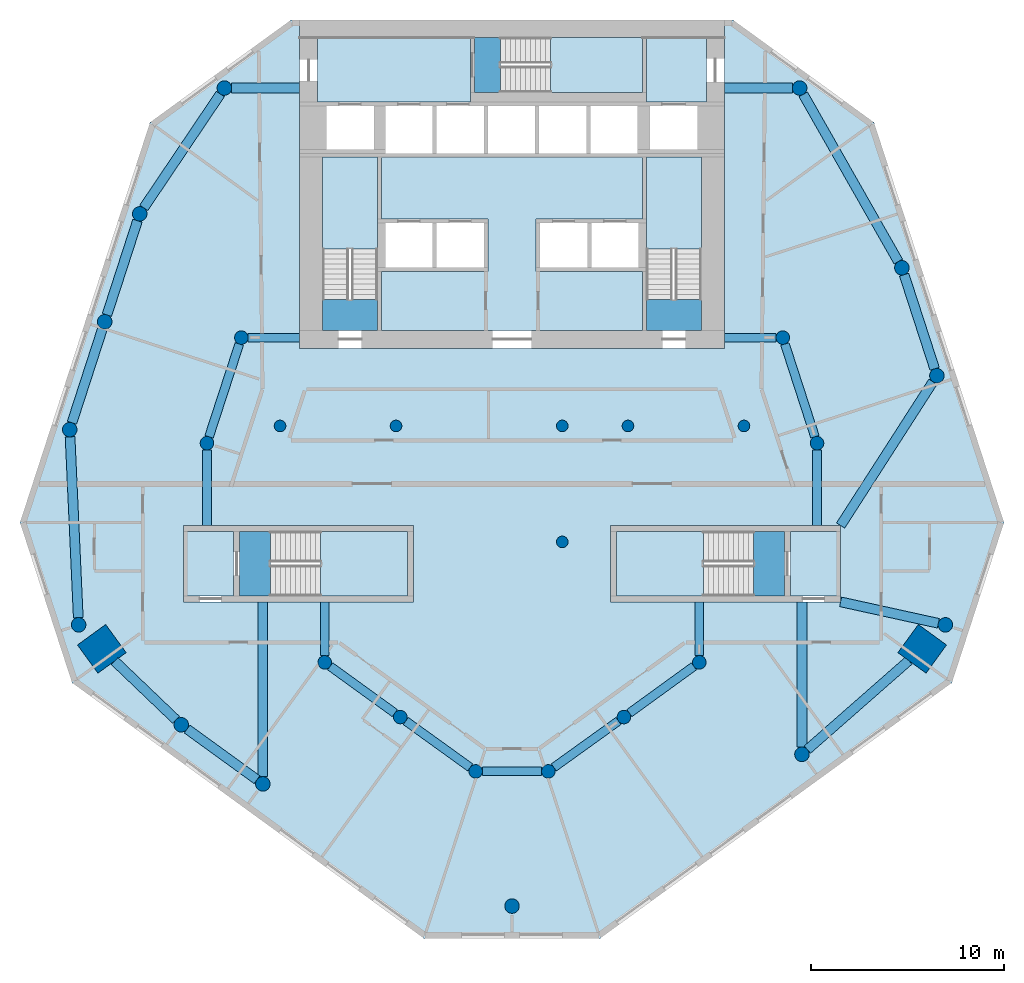
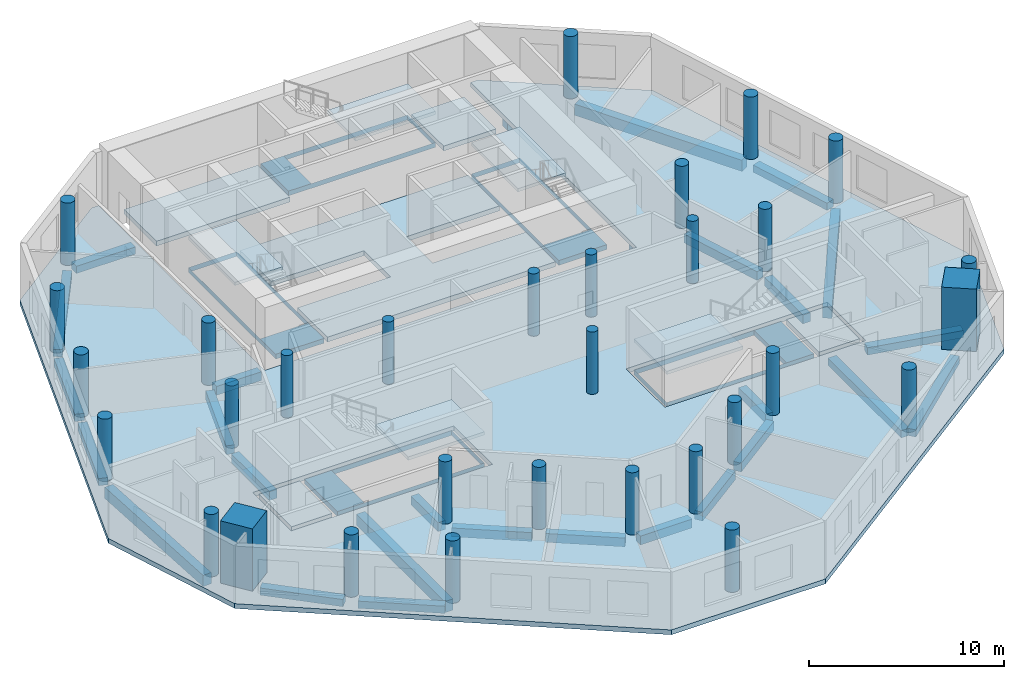
# One storey, part 1 of 8: 31 columns, 28 beams, 16 slabs, 5 elements without a shape of their own.
"""IFC4 building model written with IfcOpenShell, lengths in metres."""

from ifc_helpers import new_model, si_unit, direction, frame, origin, origin_2d, place, context, subcontext, project, spatial, polyline, rectangle, circle, outline, extrude, material, layer, layer_set, material_profile, profile_set, type_object, element, aggregate, save


model = new_model("IFC4")

# Units and contexts
model_context = context("Model", 3, precision=1e-05, world=origin(), true_north=direction((0.0, 1.0)))
body_context = subcontext(model_context, "Body", "Model", "MODEL_VIEW")
ifc_project = project(units=[si_unit("LENGTHUNIT", "METRE"), si_unit("AREAUNIT", "SQUARE_METRE"), si_unit("VOLUMEUNIT", "CUBIC_METRE"), si_unit("PLANEANGLEUNIT", "RADIAN"), si_unit("MASSUNIT", "GRAM", prefix="KILO")], contexts=[model_context])

# Site, building, storey
site_placement = place(None, origin())
site = spatial("IfcSite", under=ifc_project, at=site_placement, CompositionType="ELEMENT")
building_placement = place(site_placement, origin())
building = spatial("IfcBuilding", under=site, at=building_placement, Name="White Candle Pilgrim Tower", CompositionType="ELEMENT")
storey_placement = place(building_placement, frame((0.0, 0.0, 152.5)))
storey = spatial("IfcBuildingStorey", under=building, at=storey_placement, Name="L34", CompositionType="ELEMENT", Elevation=152.5)

# Columns
ifc_material_1 = material(Name="Concrete C70/85", Category="concrete")
ifc_material_profile_1 = material_profile(ifc_material_1, circle(Radius=0.300048828125, at=origin_2d()), Name="RC-COL D600")
ifc_profile_set_1 = profile_set([ifc_material_profile_1], Name="Concrete C70/85")
column_type_1 = type_object("IfcColumnType", Name="Interior column RC-COL D600 C70/85", PredefinedType="COLUMN", material=ifc_profile_set_1)
for number, where, z_axis, x_axis, name in (
    (1, (58.0, 67.0, 0.0), (0.0, 0.0, 1.0), (1.0, 0.0, 0.0), "L34 column I01"),
    (2, (64.0, 67.0, 0.0), (0.0, 0.0, 1.0), (1.0, 0.0, 0.0), "L34 column I02"),
    (3, (72.60009765625, 61.0, 0.0), (0.0, 0.0, 1.0), (1.0, 0.0, 0.0), "L34 column I03"),
    (4, (72.60009765625, 67.0, 0.0), (0.0, 0.0, 1.0), (1.0, 0.0, 0.0), "L34 column I04"),
    (5, (76.0, 67.0, 0.0), (0.0, 0.0, 1.0), (1.0, 0.0, 0.0), "L34 column I05"),
    (6, (82.0, 67.0, 0.0), (0.0, 0.0, 1.0), (1.0, 0.0, 0.0), "L34 column I06"),
):
    element("IfcColumn", number, at=place(storey_placement, frame(where, z_axis=z_axis, x_axis=x_axis)), inside=storey, type_object=column_type_1, Name=name, PredefinedType="COLUMN", context=body_context, shape_type="SweptSolid", body=[
        extrude(circle(Radius=0.300048828125, at=origin_2d()), origin(), (0.0, 0.0, 1.0), 3.89990234375),
    ])
ifc_material_profile_2 = material_profile(ifc_material_1, rectangle(XDim=1.800048828125, YDim=1.800048828125, at=origin_2d()), Name="RC 1800x1800")
ifc_profile_set_2 = profile_set([ifc_material_profile_2], Name="Concrete C70/85")
column_type_2 = type_object("IfcColumnType", Name="Mega column RC 1800x1800 C70/85", PredefinedType="COLUMN", material=ifc_profile_set_2)
for number, where, z_axis, x_axis, name in (
    (7, (48.780029296875, 55.469970703125, 0.0), (0.0, 0.0, 1.0), (-0.809016994375, -0.587785252292, 0.0), "L34 mega column T02"),
    (8, (91.219970703125, 55.469970703125, 0.0), (0.0, 0.0, 1.0), (0.809016994375, -0.587785252292, 0.0), "L34 mega column T07"),
):
    element("IfcColumn", number, at=place(storey_placement, frame(where, z_axis=z_axis, x_axis=x_axis)), inside=storey, type_object=column_type_2, Name=name, PredefinedType="COLUMN", context=body_context, shape_type="SweptSolid", body=[
        extrude(rectangle(XDim=1.800048828125, YDim=1.800048828125, at=origin_2d()), origin(), (0.0, 0.0, 1.0), 3.89990234375),
    ])
ifc_material_profile_3 = material_profile(ifc_material_1, circle(Radius=0.375, at=origin_2d()), Name="RC-COL D750")
ifc_profile_set_3 = profile_set([ifc_material_profile_3], Name="Concrete C70/85")
column_type_3 = type_object("IfcColumnType", Name="Perimeter column RC-COL D750 C70/85", PredefinedType="COLUMN", material=ifc_profile_set_3)
for number, where, z_axis, x_axis, name in (
    (9, (47.580078125, 56.7099609375, 0.0), (0.0, 0.0, 1.0), (1.0, 0.0, 0.0), "L34 column T01"),
    (10, (52.889892578125, 51.5400390625, 0.0), (0.0, 0.0, 1.0), (1.0, 0.0, 0.0), "L34 column T03"),
    (11, (57.110107421875, 48.47998046875, 0.0), (0.0, 0.0, 1.0), (1.0, 0.0, 0.0), "L34 column T04"),
    (12, (70.0, 42.159912109375, 0.0), (0.0, 0.0, 1.0), (1.0, 0.0, 0.0), "L34 column T05"),
    (13, (85.0, 50.010009765625, 0.0), (0.0, 0.0, 1.0), (1.0, 0.0, 0.0), "L34 column T06"),
    (14, (92.419921875, 56.7099609375, 0.0), (0.0, 0.0, 1.0), (1.0, 0.0, 0.0), "L34 column T08"),
    (15, (91.97998046875, 69.60009765625, 0.0), (0.0, 0.0, 1.0), (1.0, 0.0, 0.0), "L34 column T09"),
    (16, (90.169921875, 75.179931640625, 0.0), (0.0, 0.0, 1.0), (1.0, 0.0, 0.0), "L34 column T10"),
    (17, (84.8798828125, 84.47998046875, 0.0), (0.0, 0.0, 1.0), (1.0, 0.0, 0.0), "L34 column T11"),
    (18, (55.1201171875, 84.47998046875, 0.0), (0.0, 0.0, 1.0), (1.0, 0.0, 0.0), "L34 column T12"),
    (19, (50.739990234375, 77.969970703125, 0.0), (0.0, 0.0, 1.0), (1.0, 0.0, 0.0), "L34 column T13"),
    (20, (48.929931640625, 72.389892578125, 0.0), (0.0, 0.0, 1.0), (1.0, 0.0, 0.0), "L34 column T14"),
    (21, (47.1201171875, 66.81005859375, 0.0), (0.0, 0.0, 1.0), (1.0, 0.0, 0.0), "L34 column T15"),
):
    element("IfcColumn", number, at=place(storey_placement, frame(where, z_axis=z_axis, x_axis=x_axis)), inside=storey, type_object=column_type_3, Name=name, PredefinedType="COLUMN", context=body_context, shape_type="SweptSolid", body=[
        extrude(circle(Radius=0.375, at=origin_2d()), origin(), (0.0, 0.0, 1.0), 3.89990234375),
    ])
ifc_material_profile_4 = material_profile(ifc_material_1, circle(Radius=0.35009765625, at=origin_2d()), Name="RC-COL D700")
ifc_profile_set_4 = profile_set([ifc_material_profile_4], Name="Concrete C70/85")
column_type_4 = type_object("IfcColumnType", Name="Ring column RC-COL D700 C70/85", PredefinedType="COLUMN", material=ifc_profile_set_4)
for number, where, z_axis, x_axis, name in (
    (22, (60.31005859375, 54.77001953125, 0.0), (0.0, 0.0, 1.0), (1.0, 0.0, 0.0), "L34 column R01"),
    (23, (64.219970703125, 51.93994140625, 0.0), (0.0, 0.0, 1.0), (1.0, 0.0, 0.0), "L34 column R02"),
    (24, (68.1201171875, 49.1298828125, 0.0), (0.0, 0.0, 1.0), (1.0, 0.0, 0.0), "L34 column R03"),
    (25, (71.8798828125, 49.1298828125, 0.0), (0.0, 0.0, 1.0), (1.0, 0.0, 0.0), "L34 column R04"),
    (26, (75.7900390625, 51.93994140625, 0.0), (0.0, 0.0, 1.0), (1.0, 0.0, 0.0), "L34 column R05"),
    (27, (79.68994140625, 54.77001953125, 0.0), (0.0, 0.0, 1.0), (1.0, 0.0, 0.0), "L34 column R06"),
    (28, (85.780029296875, 66.110107421875, 0.0), (0.0, 0.0, 1.0), (1.0, 0.0, 0.0), "L34 column R07"),
    (29, (84.010009765625, 71.570068359375, 0.0), (0.0, 0.0, 1.0), (1.0, 0.0, 0.0), "L34 column R08"),
    (30, (56.0, 71.570068359375, 0.0), (0.0, 0.0, 1.0), (1.0, 0.0, 0.0), "L34 column R09"),
    (31, (54.219970703125, 66.110107421875, 0.0), (0.0, 0.0, 1.0), (1.0, 0.0, 0.0), "L34 column R10"),
):
    element("IfcColumn", number, at=place(storey_placement, frame(where, z_axis=z_axis, x_axis=x_axis)), inside=storey, type_object=column_type_4, Name=name, PredefinedType="COLUMN", context=body_context, shape_type="SweptSolid", body=[
        extrude(circle(Radius=0.35009765625, at=origin_2d()), origin(), (0.0, 0.0, 1.0), 3.89990234375),
    ])

# Beams
ifc_material_2 = material(Name="Concrete C50/60", Category="concrete")
ifc_material_profile_5 = material_profile(ifc_material_2, rectangle(XDim=0.449951171875, YDim=0.550048828125, at=origin_2d()), Name="RC-BM 450x550")
ifc_profile_set_5 = profile_set([ifc_material_profile_5], Name="Concrete C50/60")
beam_type_1 = type_object("IfcBeamType", Name="Ring beam RC-BM 450x550 C50/60", PredefinedType="BEAM", material=ifc_profile_set_5)
beam_1_placement = place(storey_placement, frame((60.593505859375, 54.56494140625, -0.574951171875), z_axis=(0.810043858436, -0.586369292691, 0.0), x_axis=(0.586369292691, 0.810043858436, 0.0)))
element("IfcBeam", 32, at=beam_1_placement, inside=storey, type_object=beam_type_1, Name="L34 ring beam R01", PredefinedType="BEAM", context=body_context, shape_type="SweptSolid", body=[
    extrude(rectangle(XDim=0.449951171875, YDim=0.550048828125, at=origin_2d()), origin(), (0.0, 0.0, 1.0), 4.126953125),
])
beam_2_placement = place(storey_placement, frame((64.50390625, 51.735595703125, -0.574951171875), z_axis=(0.811316688041, -0.584606903574, 0.0), x_axis=(0.584606903574, 0.811316688041, 0.0)))
element("IfcBeam", 33, at=beam_2_placement, inside=storey, type_object=beam_type_1, Name="L34 ring beam R02", PredefinedType="BEAM", context=body_context, shape_type="SweptSolid", body=[
    extrude(rectangle(XDim=0.449951171875, YDim=0.550048828125, at=origin_2d()), origin(), (0.0, 0.0, 1.0), 4.107177734375),
])
beam_3_placement = place(storey_placement, frame((68.469970703125, 49.1298828125, -0.574951171875), z_axis=(1.0, 0.0, 0.0), x_axis=(0.0, 1.0, 0.0)))
element("IfcBeam", 34, at=beam_3_placement, inside=storey, type_object=beam_type_1, Name="L34 ring beam R03", PredefinedType="BEAM", context=body_context, shape_type="SweptSolid", body=[
    extrude(rectangle(XDim=0.449951171875, YDim=0.550048828125, at=origin_2d()), origin(), (0.0, 0.0, 1.0), 3.06005859375),
])
beam_4_placement = place(storey_placement, frame((72.1640625, 49.333984375, -0.574951171875), z_axis=(0.812022399974, 0.583626269063, 0.0), x_axis=(-0.583626269063, 0.812022399974, 0.0)))
element("IfcBeam", 35, at=beam_4_placement, inside=storey, type_object=beam_type_1, Name="L34 ring beam R04", PredefinedType="BEAM", context=body_context, shape_type="SweptSolid", body=[
    extrude(rectangle(XDim=0.449951171875, YDim=0.550048828125, at=origin_2d()), origin(), (0.0, 0.0, 1.0), 4.115478515625),
])
beam_5_placement = place(storey_placement, frame((76.072998046875, 52.1455078125, -0.574951171875), z_axis=(0.809401961177, 0.587255025728, 0.0), x_axis=(-0.587255025728, 0.809401961177, 0.0)))
element("IfcBeam", 36, at=beam_5_placement, inside=storey, type_object=beam_type_1, Name="L34 ring beam R05", PredefinedType="BEAM", context=body_context, shape_type="SweptSolid", body=[
    extrude(rectangle(XDim=0.449951171875, YDim=0.550048828125, at=origin_2d()), origin(), (0.0, 0.0, 1.0), 4.119140625),
])
beam_6_placement = place(storey_placement, frame((79.68994140625, 55.1201171875, -0.574951171875), z_axis=(0.0, 1.0, 0.0), x_axis=(-1.0, 0.0, 0.0)))
element("IfcBeam", 37, at=beam_6_placement, inside=storey, type_object=beam_type_1, Name="L34 ring beam R06", PredefinedType="BEAM", context=body_context, shape_type="SweptSolid", body=[
    extrude(rectangle(XDim=0.449951171875, YDim=0.550048828125, at=origin_2d()), origin(), (0.0, 0.0, 1.0), 2.77978515625),
])
beam_7_placement = place(storey_placement, frame((85.780029296875, 65.760009765625, -0.574951171875), z_axis=(0.0, -1.0, 0.0), x_axis=(1.0, 0.0, 0.0)))
element("IfcBeam", 38, at=beam_7_placement, inside=storey, type_object=beam_type_1, Name="L34 ring beam R07", PredefinedType="BEAM", context=body_context, shape_type="SweptSolid", body=[
    extrude(rectangle(XDim=0.449951171875, YDim=0.550048828125, at=origin_2d()), origin(), (0.0, 0.0, 1.0), 3.909912109375),
])
beam_8_placement = place(storey_placement, frame((85.672119140625, 66.44287109375, -0.574951171875), z_axis=(-0.308369651752, 0.95126660715, 0.0), x_axis=(-0.95126660715, -0.308369651752, 0.0)))
element("IfcBeam", 39, at=beam_8_placement, inside=storey, type_object=beam_type_1, Name="L34 ring beam R08", PredefinedType="BEAM", context=body_context, shape_type="SweptSolid", body=[
    extrude(rectangle(XDim=0.449951171875, YDim=0.550048828125, at=origin_2d()), origin(), (0.0, 0.0, 1.0), 5.0400390625),
])
beam_9_placement = place(storey_placement, frame((83.659912109375, 71.570068359375, -0.574951171875), z_axis=(-1.0, 0.0, 0.0), x_axis=(0.0, -1.0, 0.0)))
element("IfcBeam", 40, at=beam_9_placement, inside=storey, type_object=beam_type_1, Name="L34 ring beam R09", PredefinedType="BEAM", context=body_context, shape_type="SweptSolid", body=[
    extrude(rectangle(XDim=0.449951171875, YDim=0.550048828125, at=origin_2d()), origin(), (0.0, 0.0, 1.0), 2.659912109375),
])
beam_10_placement = place(storey_placement, frame((56.35009765625, 71.570068359375, -0.574951171875), z_axis=(1.0, 0.0, 0.0), x_axis=(0.0, 1.0, 0.0)))
element("IfcBeam", 41, at=beam_10_placement, inside=storey, type_object=beam_type_1, Name="L34 ring beam R10", PredefinedType="BEAM", context=body_context, shape_type="SweptSolid", body=[
    extrude(rectangle(XDim=0.449951171875, YDim=0.550048828125, at=origin_2d()), origin(), (0.0, 0.0, 1.0), 2.64990234375),
])
beam_11_placement = place(storey_placement, frame((55.8916015625, 71.2373046875, -0.574951171875), z_axis=(-0.309975890104, -0.950744417577, 0.0), x_axis=(0.950744417577, -0.309975890104, 0.0)))
element("IfcBeam", 42, at=beam_11_placement, inside=storey, type_object=beam_type_1, Name="L34 ring beam R11", PredefinedType="BEAM", context=body_context, shape_type="SweptSolid", body=[
    extrude(rectangle(XDim=0.449951171875, YDim=0.550048828125, at=origin_2d()), origin(), (0.0, 0.0, 1.0), 5.04296875),
])
beam_12_placement = place(storey_placement, frame((54.219970703125, 65.760009765625, -0.574951171875), z_axis=(0.0, -1.0, 0.0), x_axis=(1.0, 0.0, 0.0)))
element("IfcBeam", 43, at=beam_12_placement, inside=storey, type_object=beam_type_1, Name="L34 ring beam R12", PredefinedType="BEAM", context=body_context, shape_type="SweptSolid", body=[
    extrude(rectangle(XDim=0.449951171875, YDim=0.550048828125, at=origin_2d()), origin(), (0.0, 0.0, 1.0), 3.909912109375),
])
beam_13_placement = place(storey_placement, frame((60.31005859375, 55.1201171875, -0.574951171875), z_axis=(0.0, 1.0, 0.0), x_axis=(-1.0, 0.0, 0.0)))
element("IfcBeam", 44, at=beam_13_placement, inside=storey, type_object=beam_type_1, Name="L34 ring beam R13", PredefinedType="BEAM", context=body_context, shape_type="SweptSolid", body=[
    extrude(rectangle(XDim=0.449951171875, YDim=0.550048828125, at=origin_2d()), origin(), (0.0, 0.0, 1.0), 2.77978515625),
])
ifc_material_profile_6 = material_profile(ifc_material_2, rectangle(XDim=0.5, YDim=0.449951171875, at=origin_2d()), Name="RC-BM 500x450")
ifc_profile_set_6 = profile_set([ifc_material_profile_6], Name="Concrete C50/60")
beam_type_2 = type_object("IfcBeamType", Name="Spandrel beam RC-BM 500x450 C50/60", PredefinedType="BEAM", material=ifc_profile_set_6)
beam_14_placement = place(storey_placement, frame((49.441162109375, 54.837890625, -0.52490234375), z_axis=(0.722753991569, -0.691105395487, 0.0), x_axis=(0.691105395487, 0.722753991569, 0.0)))
element("IfcBeam", 45, at=beam_14_placement, inside=storey, type_object=beam_type_2, Name="L34 spandrel beam T01", PredefinedType="BEAM", context=body_context, shape_type="SweptSolid", body=[
    extrude(rectangle(XDim=0.5, YDim=0.449951171875, at=origin_2d()), origin(), (0.0, 0.0, 1.0), 4.39697265625),
])
beam_15_placement = place(storey_placement, frame((53.193359375, 51.320068359375, -0.52490234375), z_axis=(0.809558451789, -0.587039277338, 0.0), x_axis=(0.587039277338, 0.809558451789, 0.0)))
element("IfcBeam", 46, at=beam_15_placement, inside=storey, type_object=beam_type_2, Name="L34 spandrel beam T02", PredefinedType="BEAM", context=body_context, shape_type="SweptSolid", body=[
    extrude(rectangle(XDim=0.5, YDim=0.449951171875, at=origin_2d()), origin(), (0.0, 0.0, 1.0), 4.46337890625),
])
beam_16_placement = place(storey_placement, frame((85.0, 50.385009765625, -0.52490234375), z_axis=(0.0, 1.0, 0.0), x_axis=(-1.0, 0.0, 0.0)))
element("IfcBeam", 47, at=beam_16_placement, inside=storey, type_object=beam_type_2, Name="L34 spandrel beam T04", PredefinedType="BEAM", context=body_context, shape_type="SweptSolid", body=[
    extrude(rectangle(XDim=0.5, YDim=0.449951171875, at=origin_2d()), origin(), (0.0, 0.0, 1.0), 7.514892578125),
])
beam_17_placement = place(storey_placement, frame((85.28173828125, 50.25732421875, -0.52490234375), z_axis=(0.751529055224, 0.65969999178, 0.0), x_axis=(-0.65969999178, 0.751529055224, 0.0)))
element("IfcBeam", 48, at=beam_17_placement, inside=storey, type_object=beam_type_2, Name="L34 spandrel beam T05", PredefinedType="BEAM", context=body_context, shape_type="SweptSolid", body=[
    extrude(rectangle(XDim=0.5, YDim=0.449951171875, at=origin_2d()), origin(), (0.0, 0.0, 1.0), 6.97900390625),
])
beam_18_placement = place(storey_placement, frame((92.053955078125, 56.790283203125, -0.52490234375), z_axis=(-0.976735666267, 0.214446819148, 0.0), x_axis=(-0.214446819148, -0.976735666267, 0.0)))
element("IfcBeam", 49, at=beam_18_placement, inside=storey, type_object=beam_type_2, Name="L34 spandrel beam T06", PredefinedType="BEAM", context=body_context, shape_type="SweptSolid", body=[
    extrude(rectangle(XDim=0.5, YDim=0.449951171875, at=origin_2d()), origin(), (0.0, 0.0, 1.0), 5.17431640625),
])
beam_19_placement = place(storey_placement, frame((91.8642578125, 69.95654296875, -0.52490234375), z_axis=(-0.308530369215, 0.951214492779, 0.0), x_axis=(-0.951214492779, -0.308530369215, 0.0)))
element("IfcBeam", 50, at=beam_19_placement, inside=storey, type_object=beam_type_2, Name="L34 spandrel beam T08", PredefinedType="BEAM", context=body_context, shape_type="SweptSolid", body=[
    extrude(rectangle(XDim=0.5, YDim=0.449951171875, at=origin_2d()), origin(), (0.0, 0.0, 1.0), 5.116455078125),
])
for number, where, z_axis, x_axis, name in (
    (51, (84.5048828125, 84.47998046875, -0.52490234375), (-1.0, 0.0, 0.0), (0.0, -1.0, 0.0), "L34 spandrel beam T10"),
    (52, (55.4951171875, 84.47998046875, -0.52490234375), (1.0, 0.0, 0.0), (0.0, 1.0, 0.0), "L34 spandrel beam T11"),
):
    element("IfcBeam", number, at=place(storey_placement, frame(where, z_axis=z_axis, x_axis=x_axis)), inside=storey, type_object=beam_type_2, Name=name, PredefinedType="BEAM", context=body_context, shape_type="SweptSolid", body=[
        extrude(rectangle(XDim=0.5, YDim=0.449951171875, at=origin_2d()), origin(), (0.0, 0.0, 1.0), 3.5048828125),
    ])
beam_20_placement = place(storey_placement, frame((54.91064453125, 84.1689453125, -0.52490234375), z_axis=(-0.55822018442, -0.82969285022, 0.0), x_axis=(0.82969285022, -0.55822018442, 0.0)))
element("IfcBeam", 53, at=beam_20_placement, inside=storey, type_object=beam_type_2, Name="L34 spandrel beam T12", PredefinedType="BEAM", context=body_context, shape_type="SweptSolid", body=[
    extrude(rectangle(XDim=0.5, YDim=0.449951171875, at=origin_2d()), origin(), (0.0, 0.0, 1.0), 7.096435546875),
])
beam_21_placement = place(storey_placement, frame((50.624267578125, 77.61328125, -0.52490234375), z_axis=(-0.308544373382, -0.951209950355, 0.0), x_axis=(0.951209950355, -0.308544373382, 0.0)))
element("IfcBeam", 54, at=beam_21_placement, inside=storey, type_object=beam_type_2, Name="L34 spandrel beam T13", PredefinedType="BEAM", context=body_context, shape_type="SweptSolid", body=[
    extrude(rectangle(XDim=0.5, YDim=0.449951171875, at=origin_2d()), origin(), (0.0, 0.0, 1.0), 5.1162109375),
])
beam_22_placement = place(storey_placement, frame((48.814208984375, 72.033447265625, -0.52490234375), z_axis=(-0.308530369215, -0.951214492779, 0.0), x_axis=(0.951214492779, -0.308530369215, 0.0)))
element("IfcBeam", 55, at=beam_22_placement, inside=storey, type_object=beam_type_2, Name="L34 spandrel beam T14", PredefinedType="BEAM", context=body_context, shape_type="SweptSolid", body=[
    extrude(rectangle(XDim=0.5, YDim=0.449951171875, at=origin_2d()), origin(), (0.0, 0.0, 1.0), 5.116455078125),
])
ifc_material_profile_7 = material_profile(ifc_material_2, rectangle(XDim=0.5, YDim=0.699951171875, at=origin_2d()), Name="RC-BM 500x700")
ifc_profile_set_7 = profile_set([ifc_material_profile_7], Name="Concrete C50/60")
beam_type_3 = type_object("IfcBeamType", Name="Spandrel beam RC-BM 500x700 C50/60", PredefinedType="BEAM", material=ifc_profile_set_7)
beam_23_placement = place(storey_placement, frame((57.110107421875, 48.85498046875, -0.64990234375), z_axis=(0.0, 1.0, 0.0), x_axis=(-1.0, 0.0, 0.0)))
element("IfcBeam", 56, at=beam_23_placement, inside=storey, type_object=beam_type_3, Name="L34 spandrel beam T03", PredefinedType="BEAM", context=body_context, shape_type="SweptSolid", body=[
    extrude(rectangle(XDim=0.5, YDim=0.699951171875, at=origin_2d()), origin(), (0.0, 0.0, 1.0), 9.044921875),
])
beam_24_placement = place(storey_placement, frame((91.77734375, 69.28466796875, -0.64990234375), z_axis=(-0.540595612128, -0.841282582815, 0.0), x_axis=(0.841282582815, -0.540595612128, 0.0)))
element("IfcBeam", 57, at=beam_24_placement, inside=storey, type_object=beam_type_3, Name="L34 spandrel beam T07", PredefinedType="BEAM", context=body_context, shape_type="SweptSolid", body=[
    extrude(rectangle(XDim=0.5, YDim=0.699951171875, at=origin_2d()), origin(), (0.0, 0.0, 1.0), 8.837158203125),
])
beam_25_placement = place(storey_placement, frame((89.984619140625, 75.505859375, -0.64990234375), z_axis=(-0.494422929515, 0.869221471646, 0.0), x_axis=(-0.869221471646, -0.494422929515, 0.0)))
element("IfcBeam", 58, at=beam_25_placement, inside=storey, type_object=beam_type_3, Name="L34 spandrel beam T09", PredefinedType="BEAM", context=body_context, shape_type="SweptSolid", body=[
    extrude(rectangle(XDim=0.5, YDim=0.699951171875, at=origin_2d()), origin(), (0.0, 0.0, 1.0), 9.949462890625),
])
beam_26_placement = place(storey_placement, frame((47.13720703125, 66.435546875, -0.64990234375), z_axis=(0.045485743277, -0.998964987954, 0.0), x_axis=(0.998964987954, 0.045485743277, 0.0)))
element("IfcBeam", 59, at=beam_26_placement, inside=storey, type_object=beam_type_3, Name="L34 spandrel beam T15", PredefinedType="BEAM", context=body_context, shape_type="SweptSolid", body=[
    extrude(rectangle(XDim=0.5, YDim=0.699951171875, at=origin_2d()), origin(), (0.0, 0.0, 1.0), 9.36083984375),
])

# Slabs
ifc_material_3 = material(Name="Concrete C40/50", Category="concrete")
ifc_layer_1 = layer(ifc_material_3, 0.300048828125)
ifc_layer_set_1 = layer_set([ifc_layer_1], Name="Core floor slab 300 mm Concrete C40/50")
slab_type_1 = type_object("IfcSlabType", Name="Core floor slab 300 mm Concrete C40/50", PredefinedType="FLOOR", material=ifc_layer_set_1)
slab_1_placement = place(storey_placement, frame((0.0, 0.0, -0.300048828125)))
element("IfcSlab", 60, at=slab_1_placement, inside=storey, type_object=slab_type_1, Name="CF-L34-01", PredefinedType="FLOOR", context=body_context, shape_type="SweptSolid", body=[
    extrude(outline(polyline([(55.60009765625, 58.199951171875), (53.199951171875, 58.199951171875), (53.199951171875, 61.550048828125), (55.60009765625, 61.550048828125), (55.60009765625, 58.199951171875)])), origin(), (0.0, 0.0, 1.0), 0.300048828125),
])
slab_2_placement = place(storey_placement, frame((0.0, 0.0, -0.300048828125)))
element("IfcSlab", 61, at=slab_2_placement, inside=storey, type_object=slab_type_1, Name="CF-L34-02", PredefinedType="FLOOR", context=body_context, shape_type="SweptSolid", body=[
    extrude(outline(polyline([(55.89990234375, 58.199951171875), (55.89990234375, 61.550048828125), (64.60009765625, 61.550048828125), (64.60009765625, 58.199951171875), (55.89990234375, 58.199951171875)]), holes=[polyline([(57.501953125, 61.548095703125), (57.501953125, 58.201904296875), (64.597900390625, 58.201904296875), (64.597900390625, 61.548095703125), (57.501953125, 61.548095703125)])]), origin(), (0.0, 0.0, 1.0), 0.300048828125),
])
slab_3_placement = place(storey_placement, frame((0.0, 0.0, -0.300048828125)))
element("IfcSlab", 62, at=slab_3_placement, inside=storey, type_object=slab_type_1, Name="CF-L34-03", PredefinedType="FLOOR", context=body_context, shape_type="SweptSolid", body=[
    extrude(outline(polyline([(75.39990234375, 58.199951171875), (75.39990234375, 61.550048828125), (84.10009765625, 61.550048828125), (84.10009765625, 58.199951171875), (75.39990234375, 58.199951171875)]), holes=[polyline([(82.498046875, 58.201904296875), (82.498046875, 61.548095703125), (75.402099609375, 61.548095703125), (75.402099609375, 58.201904296875), (82.498046875, 58.201904296875)])]), origin(), (0.0, 0.0, 1.0), 0.300048828125),
])
slab_4_placement = place(storey_placement, frame((0.0, 0.0, -0.300048828125)))
element("IfcSlab", 63, at=slab_4_placement, inside=storey, type_object=slab_type_1, Name="CF-L34-04", PredefinedType="FLOOR", context=body_context, shape_type="SweptSolid", body=[
    extrude(outline(polyline([(86.800048828125, 58.199951171875), (84.39990234375, 58.199951171875), (84.39990234375, 61.550048828125), (86.800048828125, 61.550048828125), (86.800048828125, 58.199951171875)])), origin(), (0.0, 0.0, 1.0), 0.300048828125),
])
slab_5_placement = place(storey_placement, frame((0.0, 0.0, -0.300048828125)))
element("IfcSlab", 64, at=slab_5_placement, inside=storey, type_object=slab_type_1, Name="CF-L34-05", PredefinedType="FLOOR", context=body_context, shape_type="SweptSolid", body=[
    extrude(outline(polyline([(76.75, 87.10009765625), (76.75, 87.050048828125), (76.75, 84.25), (68.050048828125, 84.25), (68.050048828125, 87.050048828125), (68.050048828125, 87.10009765625), (76.75, 87.10009765625)]), holes=[polyline([(69.402099609375, 87.097900390625), (69.402099609375, 84.251953125), (76.748046875, 84.251953125), (76.748046875, 87.097900390625), (69.402099609375, 87.097900390625)])]), origin(), (0.0, 0.0, 1.0), 0.300048828125),
])
slab_6_placement = place(storey_placement, frame((0.0, 0.0, -0.300048828125)))
element("IfcSlab", 65, at=slab_6_placement, inside=storey, type_object=slab_type_1, Name="CF-L34-06", PredefinedType="FLOOR", context=body_context, shape_type="SweptSolid", body=[
    extrude(outline(polyline([(80.050048828125, 87.050048828125), (80.050048828125, 83.75), (76.949951171875, 83.75), (76.949951171875, 84.25), (76.949951171875, 87.050048828125), (80.050048828125, 87.050048828125)])), origin(), (0.0, 0.0, 1.0), 0.300048828125),
])
slab_7_placement = place(storey_placement, frame((0.0, 0.0, -0.300048828125)))
element("IfcSlab", 66, at=slab_7_placement, inside=storey, type_object=slab_type_1, Name="CF-L34-07", PredefinedType="FLOOR", context=body_context, shape_type="SweptSolid", body=[
    extrude(outline(polyline([(76.949951171875, 71.949951171875), (76.949951171875, 75.0), (76.949951171875, 75.199951171875), (76.949951171875, 77.5), (76.949951171875, 77.699951171875), (76.949951171875, 80.89990234375), (79.800048828125, 80.89990234375), (79.800048828125, 71.949951171875), (76.949951171875, 71.949951171875)]), holes=[polyline([(76.951904296875, 73.552001953125), (79.798095703125, 73.552001953125), (79.798095703125, 80.89794921875), (76.951904296875, 80.89794921875), (76.951904296875, 73.552001953125)])]), origin(), (0.0, 0.0, 1.0), 0.300048828125),
])
slab_8_placement = place(storey_placement, frame((0.0, 0.0, -0.300048828125)))
element("IfcSlab", 67, at=slab_8_placement, inside=storey, type_object=slab_type_1, Name="CF-L34-08", PredefinedType="FLOOR", context=body_context, shape_type="SweptSolid", body=[
    extrude(outline(polyline([(63.25, 71.949951171875), (63.25, 75.0), (68.75, 75.0), (68.75, 75.199951171875), (68.75, 77.5), (68.75, 77.699951171875), (63.25, 77.699951171875), (63.25, 80.89990234375), (76.75, 80.89990234375), (76.75, 77.699951171875), (71.25, 77.699951171875), (71.25, 77.5), (71.25, 75.199951171875), (71.25, 75.0), (76.75, 75.0), (76.75, 71.949951171875), (63.25, 71.949951171875)])), origin(), (0.0, 0.0, 1.0), 0.300048828125),
])
slab_9_placement = place(storey_placement, frame((0.0, 0.0, -0.300048828125)))
element("IfcSlab", 68, at=slab_9_placement, inside=storey, type_object=slab_type_1, Name="CF-L34-09", PredefinedType="FLOOR", context=body_context, shape_type="SweptSolid", body=[
    extrude(outline(polyline([(60.199951171875, 71.949951171875), (60.199951171875, 80.89990234375), (63.050048828125, 80.89990234375), (63.050048828125, 77.699951171875), (63.050048828125, 77.5), (63.050048828125, 75.199951171875), (63.050048828125, 75.0), (63.050048828125, 71.949951171875), (60.199951171875, 71.949951171875)]), holes=[polyline([(60.201904296875, 73.552001953125), (63.048095703125, 73.552001953125), (63.048095703125, 80.89794921875), (60.201904296875, 80.89794921875), (60.201904296875, 73.552001953125)])]), origin(), (0.0, 0.0, 1.0), 0.300048828125),
])
slab_10_placement = place(storey_placement, frame((0.0, 0.0, -0.300048828125)))
element("IfcSlab", 69, at=slab_10_placement, inside=storey, type_object=slab_type_1, Name="CF-L34-10", PredefinedType="FLOOR", context=body_context, shape_type="SweptSolid", body=[
    extrude(outline(polyline([(59.949951171875, 87.050048828125), (67.85009765625, 87.050048828125), (67.85009765625, 84.25), (67.85009765625, 83.75), (59.949951171875, 83.75), (59.949951171875, 87.050048828125)])), origin(), (0.0, 0.0, 1.0), 0.300048828125),
])
ifc_layer_2 = layer(ifc_material_3, 0.300048828125)
ifc_layer_set_2 = layer_set([ifc_layer_2], Name="Floor slab 300 REI 120")
slab_type_2 = type_object("IfcSlabType", Name="Floor slab 300 REI 120", PredefinedType="FLOOR", material=ifc_layer_set_2)
slab_11_placement = place(storey_placement, frame((0.0, 0.0, -0.300048828125)))
element("IfcSlab", 70, at=slab_11_placement, inside=storey, type_object=slab_type_2, Name="L34 floor slab", PredefinedType="FLOOR", context=body_context, shape_type="SweptSolid", body=[
    extrude(outline(polyline([(65.441162109375, 40.491455078125), (74.558837890625, 40.491455078125), (92.759521484375, 53.715087890625), (95.4521484375, 62.002197265625), (88.725341796875, 82.70458984375), (81.43701171875, 88.0), (81.0, 88.0), (81.0, 71.0), (59.0, 71.0), (59.0, 88.0), (58.56298828125, 88.0), (51.274658203125, 82.70458984375), (44.5478515625, 62.002197265625), (47.240478515625, 53.715087890625), (65.441162109375, 40.491455078125)]), holes=[polyline([(53.0, 57.89990234375), (53.0, 61.85009765625), (64.89990234375, 61.85009765625), (64.89990234375, 57.89990234375), (53.0, 57.89990234375)]), polyline([(75.10009765625, 57.89990234375), (75.10009765625, 61.85009765625), (87.0, 61.85009765625), (87.0, 57.89990234375), (75.10009765625, 57.89990234375)])]), origin(), (0.0, 0.0, 1.0), 0.300048828125),
])

# Stair, slab
stair_type_1 = type_object("IfcStairType", Name="Exit stair 1 flight width 1350 mm", PredefinedType="HALF_TURN_STAIR", material=ifc_material_3)
stair_1_placement = place(storey_placement, origin())
stair_1 = element("IfcStair", 71, at=stair_1_placement, inside=storey, type_object=stair_type_1, Name="L34 stair 1", PredefinedType="NOTDEFINED")
ifc_layer_3 = layer(ifc_material_3, 0.199951171875)
ifc_layer_set_3 = layer_set([ifc_layer_3], Name="Stair landing Concrete C40/50")
slab_type_3 = type_object("IfcSlabType", Name="Stair landing Concrete C40/50", PredefinedType="LANDING", material=ifc_layer_set_3)
slab_12_placement = place(storey_placement, frame((0.0, 0.0, 1.75)))
slab_12 = element("IfcSlab", 72, at=slab_12_placement, type_object=slab_type_3, Name="ST1 landing 1", PredefinedType="LANDING", context=body_context, shape_type="SweptSolid", body=[
    extrude(outline(polyline([(63.052001953125, 76.14794921875), (60.197998046875, 76.14794921875), (60.197998046875, 80.902099609375), (63.052001953125, 80.902099609375), (63.052001953125, 76.14794921875)])), origin(), (0.0, 0.0, 1.0), 0.199951171875),
])
aggregate(stair_1, [slab_12])

stair_type_2 = type_object("IfcStairType", Name="Exit stair 2 flight width 1350 mm", PredefinedType="HALF_TURN_STAIR", material=ifc_material_3)
stair_2_placement = place(storey_placement, origin())
stair_2 = element("IfcStair", 73, at=stair_2_placement, inside=storey, type_object=stair_type_2, Name="L34 stair 2", PredefinedType="NOTDEFINED")
slab_13_placement = place(storey_placement, frame((0.0, 0.0, 1.75)))
slab_13 = element("IfcSlab", 74, at=slab_13_placement, type_object=slab_type_3, Name="ST2 landing 1", PredefinedType="LANDING", context=body_context, shape_type="SweptSolid", body=[
    extrude(outline(polyline([(79.802001953125, 76.14794921875), (76.947998046875, 76.14794921875), (76.947998046875, 80.902099609375), (79.802001953125, 80.902099609375), (79.802001953125, 76.14794921875)])), origin(), (0.0, 0.0, 1.0), 0.199951171875),
])
aggregate(stair_2, [slab_13])

stair_type_3 = type_object("IfcStairType", Name="Exit stair 3 flight width 1350 mm", PredefinedType="HALF_TURN_STAIR", material=ifc_material_3)
stair_3_placement = place(storey_placement, origin())
stair_3 = element("IfcStair", 75, at=stair_3_placement, inside=storey, type_object=stair_type_3, Name="L34 stair 3", PredefinedType="NOTDEFINED")
slab_14_placement = place(storey_placement, frame((0.0, 0.0, 1.75)))
slab_14 = element("IfcSlab", 76, at=slab_14_placement, type_object=slab_type_3, Name="ST3 landing 1", PredefinedType="LANDING", context=body_context, shape_type="SweptSolid", body=[
    extrude(outline(polyline([(71.998046875, 84.248046875), (71.998046875, 87.10205078125), (76.751953125, 87.10205078125), (76.751953125, 84.248046875), (71.998046875, 84.248046875)])), origin(), (0.0, 0.0, 1.0), 0.199951171875),
])
aggregate(stair_3, [slab_14])

stair_type_4 = type_object("IfcStairType", Name="Exit stair 4 flight width 1600 mm", PredefinedType="HALF_TURN_STAIR", material=ifc_material_3)
stair_4_placement = place(storey_placement, origin())
stair_4 = element("IfcStair", 77, at=stair_4_placement, inside=storey, type_object=stair_type_4, Name="L34 stair 4", PredefinedType="NOTDEFINED")
slab_15_placement = place(storey_placement, frame((0.0, 0.0, 1.75)))
slab_15 = element("IfcSlab", 78, at=slab_15_placement, type_object=slab_type_3, Name="ST4 landing 1", PredefinedType="LANDING", context=body_context, shape_type="SweptSolid", body=[
    extrude(outline(polyline([(79.902099609375, 61.552001953125), (79.902099609375, 58.197998046875), (75.39794921875, 58.197998046875), (75.39794921875, 61.552001953125), (79.902099609375, 61.552001953125)])), origin(), (0.0, 0.0, 1.0), 0.199951171875),
])
aggregate(stair_4, [slab_15])

stair_type_5 = type_object("IfcStairType", Name="Exit stair 5 flight width 1600 mm", PredefinedType="HALF_TURN_STAIR", material=ifc_material_3)
stair_5_placement = place(storey_placement, origin())
stair_5 = element("IfcStair", 79, at=stair_5_placement, inside=storey, type_object=stair_type_5, Name="L34 stair 5", PredefinedType="NOTDEFINED")
slab_16_placement = place(storey_placement, frame((0.0, 0.0, 1.75)))
slab_16 = element("IfcSlab", 80, at=slab_16_placement, type_object=slab_type_3, Name="ST5 landing 1", PredefinedType="LANDING", context=body_context, shape_type="SweptSolid", body=[
    extrude(outline(polyline([(60.097900390625, 58.197998046875), (60.097900390625, 61.552001953125), (64.60205078125, 61.552001953125), (64.60205078125, 58.197998046875), (60.097900390625, 58.197998046875)])), origin(), (0.0, 0.0, 1.0), 0.199951171875),
])
aggregate(stair_5, [slab_16])

save(model, "model.ifc")
